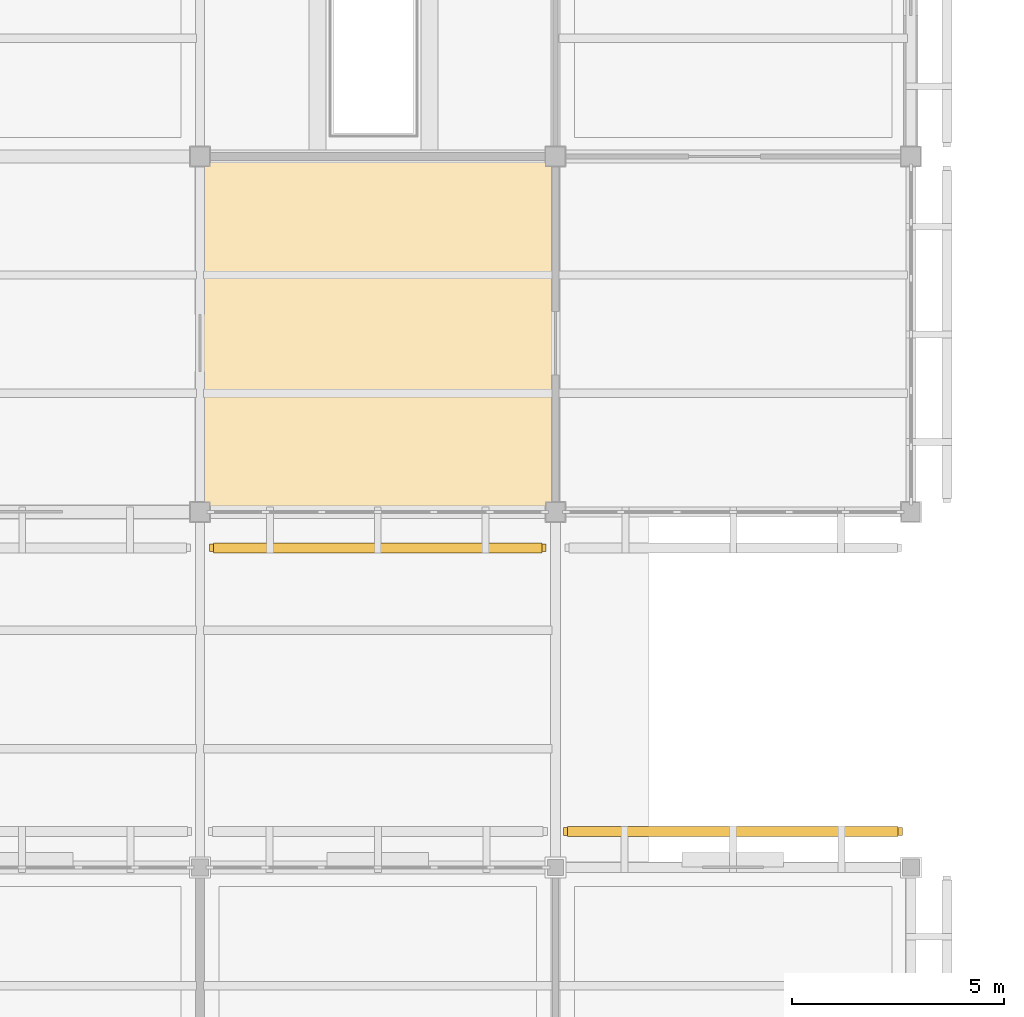
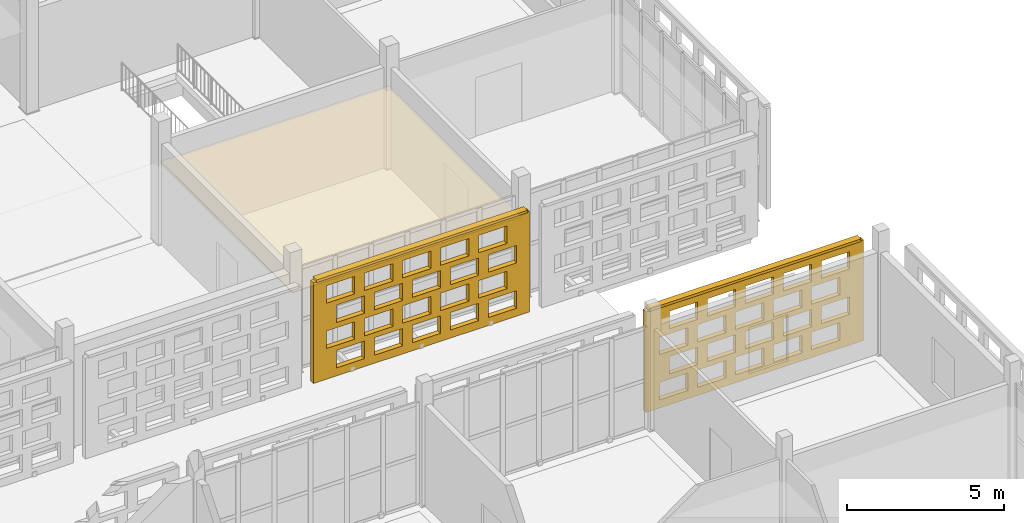
# One storey, part 194 of 203: 3 coverings, 2 shading devices, 40 openings.
"""IFC4 building model written with IfcOpenShell, lengths in metres."""

from ifc_helpers import new_model, si_unit, direction, frame, frame_2d, origin, origin_2d, place, context, subcontext, project, spatial, rectangle, extrude, material, layer, layer_set, type_object, element, save


model = new_model("IFC4")

# Units and contexts
model_context = context("Model", 3, precision=1e-05, world=origin(), true_north=direction((0.0, 1.0)))
body_context = subcontext(model_context, "Body", "Model", "MODEL_VIEW")
ifc_project = project(units=[si_unit("LENGTHUNIT", "METRE"), si_unit("AREAUNIT", "SQUARE_METRE"), si_unit("VOLUMEUNIT", "CUBIC_METRE"), si_unit("PLANEANGLEUNIT", "RADIAN"), si_unit("MASSUNIT", "GRAM", prefix="KILO")], contexts=[model_context])

# Site, building, storey
site_placement = place(None, origin())
site = spatial("IfcSite", under=ifc_project, at=site_placement, CompositionType="ELEMENT")
building_placement = place(site_placement, origin())
building = spatial("IfcBuilding", under=site, at=building_placement, Name="Varnapada Polytechnic", CompositionType="ELEMENT")
storey_placement = place(building_placement, frame((0.0, 0.0, 4.800048828125)))
storey = spatial("IfcBuildingStorey", under=building, at=storey_placement, Name="L01", CompositionType="ELEMENT", Elevation=4.800048828125)

# Covering
ifc_material_1 = material(Name="Moisture-Resistant Aluminum Baffle Ceiling", Category="aluminium")
ifc_layer_1 = layer(ifc_material_1, 0.030029296875)
ifc_layer_set_1 = layer_set([ifc_layer_1], Name="Moisture-Resistant Aluminum Baffle Ceiling")
covering_type_1 = type_object("IfcCoveringType", Name="Suspended Ceiling CLG-03", PredefinedType="CEILING", material=ifc_layer_set_1)
covering_1_placement = place(storey_placement, frame((163.800048828125, 63.0, 3.03515625), z_axis=(0.0, 0.0, 1.0), x_axis=(1.0, 0.0, 0.0)))
element("IfcCovering", 1, at=covering_1_placement, inside=storey, type_object=covering_type_1, Name="L01 suspended acoustic ceiling (20,8)", PredefinedType="CEILING", context=body_context, shape_type="SweptSolid", body=[
    extrude(rectangle(XDim=8.419921875, YDim=8.419921875, at=origin_2d()), origin(), (0.0, 0.0, 1.0), 0.030029296875),
])

# Covering, openings
ifc_material_2 = material(Name="Earth-toned architectural terracotta screen block", Category="masonry")
ifc_layer_2 = layer(ifc_material_2, 0.1201171875)
ifc_layer_set_2 = layer_set([ifc_layer_2], Name="Earth-toned architectural terracotta screen block")
covering_type_2 = type_object("IfcCoveringType", Name="Terracotta Screen Cladding CLD-01", PredefinedType="CLADDING", material=ifc_layer_set_2)
covering_2_placement = place(storey_placement, frame((167.780029296875, 57.949951171875, 0.0), z_axis=(0.0, 0.0, 1.0), x_axis=(-1.0, 0.0, 0.0)))
covering_2 = element("IfcCovering", 2, at=covering_2_placement, inside=storey, type_object=covering_type_2, Name="L01 perforated terracotta block screen (134)", PredefinedType="CLADDING", context=body_context, shape_type="SweptSolid", body=[
    extrude(rectangle(XDim=7.9599609375, YDim=0.179931640625, at=frame_2d((3.97998046875, 0.0))), origin(), (0.0, 0.0, 1.0), 3.919921875),
])
opening_1_placement = place(covering_2_placement, frame((0.47998046875, 0.0, 0.313720703125)))
element("IfcOpeningElement", 3, at=opening_1_placement, cuts=covering_2, Name="Screen perforation TBS-L01-133.1", PredefinedType="OPENING", context=body_context, shape_type="SweptSolid", body=[
    extrude(rectangle(XDim=1.0400390625, YDim=0.679931640625, at=frame_2d((0.52001953125, 0.33984375))), frame((0.0, 0.099853515625, 0.0), z_axis=(0.0, -1.0, 0.0), x_axis=(1.0, 0.0, 0.0)), (0.0, 0.0, 1.0), 0.199951171875),
])
opening_2_placement = place(covering_2_placement, frame((1.8798828125, 0.0, 0.313720703125)))
element("IfcOpeningElement", 4, at=opening_2_placement, cuts=covering_2, Name="Screen perforation TBS-L01-133.2", PredefinedType="OPENING", context=body_context, shape_type="SweptSolid", body=[
    extrude(rectangle(XDim=1.0400390625, YDim=0.679931640625, at=frame_2d((0.52001953125, 0.33984375))), frame((0.0, 0.099853515625, 0.0), z_axis=(0.0, -1.0, 0.0), x_axis=(1.0, 0.0, 0.0)), (0.0, 0.0, 1.0), 0.199951171875),
])
opening_3_placement = place(covering_2_placement, frame((3.280029296875, 0.0, 0.313720703125)))
element("IfcOpeningElement", 5, at=opening_3_placement, cuts=covering_2, Name="Screen perforation TBS-L01-133.3", PredefinedType="OPENING", context=body_context, shape_type="SweptSolid", body=[
    extrude(rectangle(XDim=1.0400390625, YDim=0.679931640625, at=frame_2d((0.52001953125, 0.33984375))), frame((0.0, 0.099853515625, 0.0), z_axis=(0.0, -1.0, 0.0), x_axis=(1.0, 0.0, 0.0)), (0.0, 0.0, 1.0), 0.199951171875),
])
opening_4_placement = place(covering_2_placement, frame((4.679931640625, 0.0, 0.313720703125)))
element("IfcOpeningElement", 6, at=opening_4_placement, cuts=covering_2, Name="Screen perforation TBS-L01-133.4", PredefinedType="OPENING", context=body_context, shape_type="SweptSolid", body=[
    extrude(rectangle(XDim=1.0400390625, YDim=0.679931640625, at=frame_2d((0.52001953125, 0.33984375))), frame((0.0, 0.099853515625, 0.0), z_axis=(0.0, -1.0, 0.0), x_axis=(1.0, 0.0, 0.0)), (0.0, 0.0, 1.0), 0.199951171875),
])
opening_5_placement = place(covering_2_placement, frame((6.080078125, 0.0, 0.313720703125)))
element("IfcOpeningElement", 7, at=opening_5_placement, cuts=covering_2, Name="Screen perforation TBS-L01-133.5", PredefinedType="OPENING", context=body_context, shape_type="SweptSolid", body=[
    extrude(rectangle(XDim=1.0400390625, YDim=0.679931640625, at=frame_2d((0.52001953125, 0.33984375))), frame((0.0, 0.099853515625, 0.0), z_axis=(0.0, -1.0, 0.0), x_axis=(1.0, 0.0, 0.0)), (0.0, 0.0, 1.0), 0.199951171875),
])
opening_6_placement = place(covering_2_placement, frame((0.840087890625, 0.0, 1.195556640625)))
element("IfcOpeningElement", 8, at=opening_6_placement, cuts=covering_2, Name="Screen perforation TBS-L01-133.6", PredefinedType="OPENING", context=body_context, shape_type="SweptSolid", body=[
    extrude(rectangle(XDim=1.0400390625, YDim=0.679931640625, at=frame_2d((0.52001953125, 0.33984375))), frame((0.0, 0.099853515625, 0.0), z_axis=(0.0, -1.0, 0.0), x_axis=(1.0, 0.0, 0.0)), (0.0, 0.0, 1.0), 0.199951171875),
])
opening_7_placement = place(covering_2_placement, frame((2.239990234375, 0.0, 1.195556640625)))
element("IfcOpeningElement", 9, at=opening_7_placement, cuts=covering_2, Name="Screen perforation TBS-L01-133.7", PredefinedType="OPENING", context=body_context, shape_type="SweptSolid", body=[
    extrude(rectangle(XDim=1.0400390625, YDim=0.679931640625, at=frame_2d((0.52001953125, 0.33984375))), frame((0.0, 0.099853515625, 0.0), z_axis=(0.0, -1.0, 0.0), x_axis=(1.0, 0.0, 0.0)), (0.0, 0.0, 1.0), 0.199951171875),
])
opening_8_placement = place(covering_2_placement, frame((3.639892578125, 0.0, 1.195556640625)))
element("IfcOpeningElement", 10, at=opening_8_placement, cuts=covering_2, Name="Screen perforation TBS-L01-133.8", PredefinedType="OPENING", context=body_context, shape_type="SweptSolid", body=[
    extrude(rectangle(XDim=1.0400390625, YDim=0.679931640625, at=frame_2d((0.52001953125, 0.33984375))), frame((0.0, 0.099853515625, 0.0), z_axis=(0.0, -1.0, 0.0), x_axis=(1.0, 0.0, 0.0)), (0.0, 0.0, 1.0), 0.199951171875),
])
opening_9_placement = place(covering_2_placement, frame((5.0400390625, 0.0, 1.195556640625)))
element("IfcOpeningElement", 11, at=opening_9_placement, cuts=covering_2, Name="Screen perforation TBS-L01-133.9", PredefinedType="OPENING", context=body_context, shape_type="SweptSolid", body=[
    extrude(rectangle(XDim=1.0400390625, YDim=0.679931640625, at=frame_2d((0.52001953125, 0.33984375))), frame((0.0, 0.099853515625, 0.0), z_axis=(0.0, -1.0, 0.0), x_axis=(1.0, 0.0, 0.0)), (0.0, 0.0, 1.0), 0.199951171875),
])
opening_10_placement = place(covering_2_placement, frame((6.43994140625, 0.0, 1.195556640625)))
element("IfcOpeningElement", 12, at=opening_10_placement, cuts=covering_2, Name="Screen perforation TBS-L01-133.10", PredefinedType="OPENING", context=body_context, shape_type="SweptSolid", body=[
    extrude(rectangle(XDim=1.0400390625, YDim=0.679931640625, at=frame_2d((0.52001953125, 0.33984375))), frame((0.0, 0.099853515625, 0.0), z_axis=(0.0, -1.0, 0.0), x_axis=(1.0, 0.0, 0.0)), (0.0, 0.0, 1.0), 0.199951171875),
])
opening_11_placement = place(covering_2_placement, frame((0.47998046875, 0.0, 2.07763671875)))
element("IfcOpeningElement", 13, at=opening_11_placement, cuts=covering_2, Name="Screen perforation TBS-L01-133.11", PredefinedType="OPENING", context=body_context, shape_type="SweptSolid", body=[
    extrude(rectangle(XDim=1.0400390625, YDim=0.679931640625, at=frame_2d((0.52001953125, 0.33984375))), frame((0.0, 0.099853515625, 0.0), z_axis=(0.0, -1.0, 0.0), x_axis=(1.0, 0.0, 0.0)), (0.0, 0.0, 1.0), 0.199951171875),
])
opening_12_placement = place(covering_2_placement, frame((1.8798828125, 0.0, 2.07763671875)))
element("IfcOpeningElement", 14, at=opening_12_placement, cuts=covering_2, Name="Screen perforation TBS-L01-133.12", PredefinedType="OPENING", context=body_context, shape_type="SweptSolid", body=[
    extrude(rectangle(XDim=1.0400390625, YDim=0.679931640625, at=frame_2d((0.52001953125, 0.33984375))), frame((0.0, 0.099853515625, 0.0), z_axis=(0.0, -1.0, 0.0), x_axis=(1.0, 0.0, 0.0)), (0.0, 0.0, 1.0), 0.199951171875),
])
opening_13_placement = place(covering_2_placement, frame((3.280029296875, 0.0, 2.07763671875)))
element("IfcOpeningElement", 15, at=opening_13_placement, cuts=covering_2, Name="Screen perforation TBS-L01-133.13", PredefinedType="OPENING", context=body_context, shape_type="SweptSolid", body=[
    extrude(rectangle(XDim=1.0400390625, YDim=0.679931640625, at=frame_2d((0.52001953125, 0.33984375))), frame((0.0, 0.099853515625, 0.0), z_axis=(0.0, -1.0, 0.0), x_axis=(1.0, 0.0, 0.0)), (0.0, 0.0, 1.0), 0.199951171875),
])
opening_14_placement = place(covering_2_placement, frame((4.679931640625, 0.0, 2.07763671875)))
element("IfcOpeningElement", 16, at=opening_14_placement, cuts=covering_2, Name="Screen perforation TBS-L01-133.14", PredefinedType="OPENING", context=body_context, shape_type="SweptSolid", body=[
    extrude(rectangle(XDim=1.0400390625, YDim=0.679931640625, at=frame_2d((0.52001953125, 0.33984375))), frame((0.0, 0.099853515625, 0.0), z_axis=(0.0, -1.0, 0.0), x_axis=(1.0, 0.0, 0.0)), (0.0, 0.0, 1.0), 0.199951171875),
])
opening_15_placement = place(covering_2_placement, frame((6.080078125, 0.0, 2.07763671875)))
element("IfcOpeningElement", 17, at=opening_15_placement, cuts=covering_2, Name="Screen perforation TBS-L01-133.15", PredefinedType="OPENING", context=body_context, shape_type="SweptSolid", body=[
    extrude(rectangle(XDim=1.0400390625, YDim=0.679931640625, at=frame_2d((0.52001953125, 0.33984375))), frame((0.0, 0.099853515625, 0.0), z_axis=(0.0, -1.0, 0.0), x_axis=(1.0, 0.0, 0.0)), (0.0, 0.0, 1.0), 0.199951171875),
])
opening_16_placement = place(covering_2_placement, frame((0.840087890625, 0.0, 2.959716796875)))
element("IfcOpeningElement", 18, at=opening_16_placement, cuts=covering_2, Name="Screen perforation TBS-L01-133.16", PredefinedType="OPENING", context=body_context, shape_type="SweptSolid", body=[
    extrude(rectangle(XDim=1.0400390625, YDim=0.679931640625, at=frame_2d((0.52001953125, 0.33984375))), frame((0.0, 0.099853515625, 0.0), z_axis=(0.0, -1.0, 0.0), x_axis=(1.0, 0.0, 0.0)), (0.0, 0.0, 1.0), 0.199951171875),
])
opening_17_placement = place(covering_2_placement, frame((2.239990234375, 0.0, 2.959716796875)))
element("IfcOpeningElement", 19, at=opening_17_placement, cuts=covering_2, Name="Screen perforation TBS-L01-133.17", PredefinedType="OPENING", context=body_context, shape_type="SweptSolid", body=[
    extrude(rectangle(XDim=1.0400390625, YDim=0.679931640625, at=frame_2d((0.52001953125, 0.33984375))), frame((0.0, 0.099853515625, 0.0), z_axis=(0.0, -1.0, 0.0), x_axis=(1.0, 0.0, 0.0)), (0.0, 0.0, 1.0), 0.199951171875),
])
opening_18_placement = place(covering_2_placement, frame((3.639892578125, 0.0, 2.959716796875)))
element("IfcOpeningElement", 20, at=opening_18_placement, cuts=covering_2, Name="Screen perforation TBS-L01-133.18", PredefinedType="OPENING", context=body_context, shape_type="SweptSolid", body=[
    extrude(rectangle(XDim=1.0400390625, YDim=0.679931640625, at=frame_2d((0.52001953125, 0.33984375))), frame((0.0, 0.099853515625, 0.0), z_axis=(0.0, -1.0, 0.0), x_axis=(1.0, 0.0, 0.0)), (0.0, 0.0, 1.0), 0.199951171875),
])
opening_19_placement = place(covering_2_placement, frame((5.0400390625, 0.0, 2.959716796875)))
element("IfcOpeningElement", 21, at=opening_19_placement, cuts=covering_2, Name="Screen perforation TBS-L01-133.19", PredefinedType="OPENING", context=body_context, shape_type="SweptSolid", body=[
    extrude(rectangle(XDim=1.0400390625, YDim=0.679931640625, at=frame_2d((0.52001953125, 0.33984375))), frame((0.0, 0.099853515625, 0.0), z_axis=(0.0, -1.0, 0.0), x_axis=(1.0, 0.0, 0.0)), (0.0, 0.0, 1.0), 0.199951171875),
])
opening_20_placement = place(covering_2_placement, frame((6.43994140625, 0.0, 2.959716796875)))
element("IfcOpeningElement", 22, at=opening_20_placement, cuts=covering_2, Name="Screen perforation TBS-L01-133.20", PredefinedType="OPENING", context=body_context, shape_type="SweptSolid", body=[
    extrude(rectangle(XDim=1.0400390625, YDim=0.679931640625, at=frame_2d((0.52001953125, 0.33984375))), frame((0.0, 0.099853515625, 0.0), z_axis=(0.0, -1.0, 0.0), x_axis=(1.0, 0.0, 0.0)), (0.0, 0.0, 1.0), 0.199951171875),
])

covering_3_placement = place(storey_placement, frame((168.18994140625, 51.25, 0.0), z_axis=(0.0, 0.0, 1.0), x_axis=(1.0, 0.0, 0.0)))
covering_3 = element("IfcCovering", 23, at=covering_3_placement, inside=storey, type_object=covering_type_2, Name="L01 perforated terracotta block screen (142)", PredefinedType="CLADDING", context=body_context, shape_type="SweptSolid", body=[
    extrude(rectangle(XDim=8.010009765625, YDim=0.179931640625, at=frame_2d((4.0048828125, 0.0))), origin(), (0.0, 0.0, 1.0), 3.919921875),
])
opening_21_placement = place(covering_3_placement, frame((0.5048828125, 0.0, 0.313720703125)))
element("IfcOpeningElement", 24, at=opening_21_placement, cuts=covering_3, Name="Screen perforation TBS-L01-141.1", PredefinedType="OPENING", context=body_context, shape_type="SweptSolid", body=[
    extrude(rectangle(XDim=1.0400390625, YDim=0.679931640625, at=frame_2d((0.52001953125, 0.33984375))), frame((0.0, 0.099853515625, 0.0), z_axis=(0.0, -1.0, 0.0), x_axis=(1.0, 0.0, 0.0)), (0.0, 0.0, 1.0), 0.199951171875),
])
opening_22_placement = place(covering_3_placement, frame((1.905029296875, 0.0, 0.313720703125)))
element("IfcOpeningElement", 25, at=opening_22_placement, cuts=covering_3, Name="Screen perforation TBS-L01-141.2", PredefinedType="OPENING", context=body_context, shape_type="SweptSolid", body=[
    extrude(rectangle(XDim=1.0400390625, YDim=0.679931640625, at=frame_2d((0.52001953125, 0.33984375))), frame((0.0, 0.099853515625, 0.0), z_axis=(0.0, -1.0, 0.0), x_axis=(1.0, 0.0, 0.0)), (0.0, 0.0, 1.0), 0.199951171875),
])
opening_23_placement = place(covering_3_placement, frame((3.304931640625, 0.0, 0.313720703125)))
element("IfcOpeningElement", 26, at=opening_23_placement, cuts=covering_3, Name="Screen perforation TBS-L01-141.3", PredefinedType="OPENING", context=body_context, shape_type="SweptSolid", body=[
    extrude(rectangle(XDim=1.0400390625, YDim=0.679931640625, at=frame_2d((0.52001953125, 0.33984375))), frame((0.0, 0.099853515625, 0.0), z_axis=(0.0, -1.0, 0.0), x_axis=(1.0, 0.0, 0.0)), (0.0, 0.0, 1.0), 0.199951171875),
])
opening_24_placement = place(covering_3_placement, frame((4.705078125, 0.0, 0.313720703125)))
element("IfcOpeningElement", 27, at=opening_24_placement, cuts=covering_3, Name="Screen perforation TBS-L01-141.4", PredefinedType="OPENING", context=body_context, shape_type="SweptSolid", body=[
    extrude(rectangle(XDim=1.0400390625, YDim=0.679931640625, at=frame_2d((0.52001953125, 0.33984375))), frame((0.0, 0.099853515625, 0.0), z_axis=(0.0, -1.0, 0.0), x_axis=(1.0, 0.0, 0.0)), (0.0, 0.0, 1.0), 0.199951171875),
])
opening_25_placement = place(covering_3_placement, frame((6.10498046875, 0.0, 0.313720703125)))
element("IfcOpeningElement", 28, at=opening_25_placement, cuts=covering_3, Name="Screen perforation TBS-L01-141.5", PredefinedType="OPENING", context=body_context, shape_type="SweptSolid", body=[
    extrude(rectangle(XDim=1.0400390625, YDim=0.679931640625, at=frame_2d((0.52001953125, 0.33984375))), frame((0.0, 0.099853515625, 0.0), z_axis=(0.0, -1.0, 0.0), x_axis=(1.0, 0.0, 0.0)), (0.0, 0.0, 1.0), 0.199951171875),
])
opening_26_placement = place(covering_3_placement, frame((0.864990234375, 0.0, 1.195556640625)))
element("IfcOpeningElement", 29, at=opening_26_placement, cuts=covering_3, Name="Screen perforation TBS-L01-141.6", PredefinedType="OPENING", context=body_context, shape_type="SweptSolid", body=[
    extrude(rectangle(XDim=1.0400390625, YDim=0.679931640625, at=frame_2d((0.52001953125, 0.33984375))), frame((0.0, 0.099853515625, 0.0), z_axis=(0.0, -1.0, 0.0), x_axis=(1.0, 0.0, 0.0)), (0.0, 0.0, 1.0), 0.199951171875),
])
opening_27_placement = place(covering_3_placement, frame((2.264892578125, 0.0, 1.195556640625)))
element("IfcOpeningElement", 30, at=opening_27_placement, cuts=covering_3, Name="Screen perforation TBS-L01-141.7", PredefinedType="OPENING", context=body_context, shape_type="SweptSolid", body=[
    extrude(rectangle(XDim=1.0400390625, YDim=0.679931640625, at=frame_2d((0.52001953125, 0.33984375))), frame((0.0, 0.099853515625, 0.0), z_axis=(0.0, -1.0, 0.0), x_axis=(1.0, 0.0, 0.0)), (0.0, 0.0, 1.0), 0.199951171875),
])
opening_28_placement = place(covering_3_placement, frame((3.6650390625, 0.0, 1.195556640625)))
element("IfcOpeningElement", 31, at=opening_28_placement, cuts=covering_3, Name="Screen perforation TBS-L01-141.8", PredefinedType="OPENING", context=body_context, shape_type="SweptSolid", body=[
    extrude(rectangle(XDim=1.0400390625, YDim=0.679931640625, at=frame_2d((0.52001953125, 0.33984375))), frame((0.0, 0.099853515625, 0.0), z_axis=(0.0, -1.0, 0.0), x_axis=(1.0, 0.0, 0.0)), (0.0, 0.0, 1.0), 0.199951171875),
])
opening_29_placement = place(covering_3_placement, frame((5.06494140625, 0.0, 1.195556640625)))
element("IfcOpeningElement", 32, at=opening_29_placement, cuts=covering_3, Name="Screen perforation TBS-L01-141.9", PredefinedType="OPENING", context=body_context, shape_type="SweptSolid", body=[
    extrude(rectangle(XDim=1.0400390625, YDim=0.679931640625, at=frame_2d((0.52001953125, 0.33984375))), frame((0.0, 0.099853515625, 0.0), z_axis=(0.0, -1.0, 0.0), x_axis=(1.0, 0.0, 0.0)), (0.0, 0.0, 1.0), 0.199951171875),
])
opening_30_placement = place(covering_3_placement, frame((6.465087890625, 0.0, 1.195556640625)))
element("IfcOpeningElement", 33, at=opening_30_placement, cuts=covering_3, Name="Screen perforation TBS-L01-141.10", PredefinedType="OPENING", context=body_context, shape_type="SweptSolid", body=[
    extrude(rectangle(XDim=1.0400390625, YDim=0.679931640625, at=frame_2d((0.52001953125, 0.33984375))), frame((0.0, 0.099853515625, 0.0), z_axis=(0.0, -1.0, 0.0), x_axis=(1.0, 0.0, 0.0)), (0.0, 0.0, 1.0), 0.199951171875),
])
opening_31_placement = place(covering_3_placement, frame((0.5048828125, 0.0, 2.07763671875)))
element("IfcOpeningElement", 34, at=opening_31_placement, cuts=covering_3, Name="Screen perforation TBS-L01-141.11", PredefinedType="OPENING", context=body_context, shape_type="SweptSolid", body=[
    extrude(rectangle(XDim=1.0400390625, YDim=0.679931640625, at=frame_2d((0.52001953125, 0.33984375))), frame((0.0, 0.099853515625, 0.0), z_axis=(0.0, -1.0, 0.0), x_axis=(1.0, 0.0, 0.0)), (0.0, 0.0, 1.0), 0.199951171875),
])
opening_32_placement = place(covering_3_placement, frame((1.905029296875, 0.0, 2.07763671875)))
element("IfcOpeningElement", 35, at=opening_32_placement, cuts=covering_3, Name="Screen perforation TBS-L01-141.12", PredefinedType="OPENING", context=body_context, shape_type="SweptSolid", body=[
    extrude(rectangle(XDim=1.0400390625, YDim=0.679931640625, at=frame_2d((0.52001953125, 0.33984375))), frame((0.0, 0.099853515625, 0.0), z_axis=(0.0, -1.0, 0.0), x_axis=(1.0, 0.0, 0.0)), (0.0, 0.0, 1.0), 0.199951171875),
])
opening_33_placement = place(covering_3_placement, frame((3.304931640625, 0.0, 2.07763671875)))
element("IfcOpeningElement", 36, at=opening_33_placement, cuts=covering_3, Name="Screen perforation TBS-L01-141.13", PredefinedType="OPENING", context=body_context, shape_type="SweptSolid", body=[
    extrude(rectangle(XDim=1.0400390625, YDim=0.679931640625, at=frame_2d((0.52001953125, 0.33984375))), frame((0.0, 0.099853515625, 0.0), z_axis=(0.0, -1.0, 0.0), x_axis=(1.0, 0.0, 0.0)), (0.0, 0.0, 1.0), 0.199951171875),
])
opening_34_placement = place(covering_3_placement, frame((4.705078125, 0.0, 2.07763671875)))
element("IfcOpeningElement", 37, at=opening_34_placement, cuts=covering_3, Name="Screen perforation TBS-L01-141.14", PredefinedType="OPENING", context=body_context, shape_type="SweptSolid", body=[
    extrude(rectangle(XDim=1.0400390625, YDim=0.679931640625, at=frame_2d((0.52001953125, 0.33984375))), frame((0.0, 0.099853515625, 0.0), z_axis=(0.0, -1.0, 0.0), x_axis=(1.0, 0.0, 0.0)), (0.0, 0.0, 1.0), 0.199951171875),
])
opening_35_placement = place(covering_3_placement, frame((6.10498046875, 0.0, 2.07763671875)))
element("IfcOpeningElement", 38, at=opening_35_placement, cuts=covering_3, Name="Screen perforation TBS-L01-141.15", PredefinedType="OPENING", context=body_context, shape_type="SweptSolid", body=[
    extrude(rectangle(XDim=1.0400390625, YDim=0.679931640625, at=frame_2d((0.52001953125, 0.33984375))), frame((0.0, 0.099853515625, 0.0), z_axis=(0.0, -1.0, 0.0), x_axis=(1.0, 0.0, 0.0)), (0.0, 0.0, 1.0), 0.199951171875),
])
opening_36_placement = place(covering_3_placement, frame((0.864990234375, 0.0, 2.959716796875)))
element("IfcOpeningElement", 39, at=opening_36_placement, cuts=covering_3, Name="Screen perforation TBS-L01-141.16", PredefinedType="OPENING", context=body_context, shape_type="SweptSolid", body=[
    extrude(rectangle(XDim=1.0400390625, YDim=0.679931640625, at=frame_2d((0.52001953125, 0.33984375))), frame((0.0, 0.099853515625, 0.0), z_axis=(0.0, -1.0, 0.0), x_axis=(1.0, 0.0, 0.0)), (0.0, 0.0, 1.0), 0.199951171875),
])
opening_37_placement = place(covering_3_placement, frame((2.264892578125, 0.0, 2.959716796875)))
element("IfcOpeningElement", 40, at=opening_37_placement, cuts=covering_3, Name="Screen perforation TBS-L01-141.17", PredefinedType="OPENING", context=body_context, shape_type="SweptSolid", body=[
    extrude(rectangle(XDim=1.0400390625, YDim=0.679931640625, at=frame_2d((0.52001953125, 0.33984375))), frame((0.0, 0.099853515625, 0.0), z_axis=(0.0, -1.0, 0.0), x_axis=(1.0, 0.0, 0.0)), (0.0, 0.0, 1.0), 0.199951171875),
])
opening_38_placement = place(covering_3_placement, frame((3.6650390625, 0.0, 2.959716796875)))
element("IfcOpeningElement", 41, at=opening_38_placement, cuts=covering_3, Name="Screen perforation TBS-L01-141.18", PredefinedType="OPENING", context=body_context, shape_type="SweptSolid", body=[
    extrude(rectangle(XDim=1.0400390625, YDim=0.679931640625, at=frame_2d((0.52001953125, 0.33984375))), frame((0.0, 0.099853515625, 0.0), z_axis=(0.0, -1.0, 0.0), x_axis=(1.0, 0.0, 0.0)), (0.0, 0.0, 1.0), 0.199951171875),
])
opening_39_placement = place(covering_3_placement, frame((5.06494140625, 0.0, 2.959716796875)))
element("IfcOpeningElement", 42, at=opening_39_placement, cuts=covering_3, Name="Screen perforation TBS-L01-141.19", PredefinedType="OPENING", context=body_context, shape_type="SweptSolid", body=[
    extrude(rectangle(XDim=1.0400390625, YDim=0.679931640625, at=frame_2d((0.52001953125, 0.33984375))), frame((0.0, 0.099853515625, 0.0), z_axis=(0.0, -1.0, 0.0), x_axis=(1.0, 0.0, 0.0)), (0.0, 0.0, 1.0), 0.199951171875),
])
opening_40_placement = place(covering_3_placement, frame((6.465087890625, 0.0, 2.959716796875)))
element("IfcOpeningElement", 43, at=opening_40_placement, cuts=covering_3, Name="Screen perforation TBS-L01-141.20", PredefinedType="OPENING", context=body_context, shape_type="SweptSolid", body=[
    extrude(rectangle(XDim=1.0400390625, YDim=0.679931640625, at=frame_2d((0.52001953125, 0.33984375))), frame((0.0, 0.099853515625, 0.0), z_axis=(0.0, -1.0, 0.0), x_axis=(1.0, 0.0, 0.0)), (0.0, 0.0, 1.0), 0.199951171875),
])

# Shading devices
ifc_layer_3 = layer(ifc_material_2, 0.179931640625)
ifc_layer_set_3 = layer_set([ifc_layer_3], Name="Earth-toned architectural terracotta screen block")
shading_device_type = type_object("IfcShadingDeviceType", Name="Terracotta Screen SCR-02", PredefinedType="USERDEFINED", material=ifc_layer_set_3)
shading_device_1_placement = place(storey_placement, frame((163.800048828125, 57.949951171875, 3.909912109375), z_axis=(0.0, 0.0, 1.0), x_axis=(-1.0, 0.0, 0.0)))
element("IfcShadingDevice", 44, at=shading_device_1_placement, inside=storey, type_object=shading_device_type, Name="L01 perforated terracotta screen hood 212", ObjectType="SCREEN", PredefinedType="USERDEFINED", context=body_context, shape_type="SweptSolid", body=[
    extrude(rectangle(XDim=7.760009765625, YDim=0.239990234375, at=origin_2d()), origin(), (0.0, 0.0, 1.0), 0.10009765625),
])
shading_device_2_placement = place(storey_placement, frame((172.195068359375, 51.25, 3.909912109375), z_axis=(0.0, 0.0, 1.0), x_axis=(1.0, 0.0, 0.0)))
element("IfcShadingDevice", 45, at=shading_device_2_placement, inside=storey, type_object=shading_device_type, Name="L01 perforated terracotta screen hood 220", ObjectType="SCREEN", PredefinedType="USERDEFINED", context=body_context, shape_type="SweptSolid", body=[
    extrude(rectangle(XDim=7.81005859375, YDim=0.239990234375, at=origin_2d()), origin(), (0.0, 0.0, 1.0), 0.10009765625),
])

save(model, "model.ifc")
